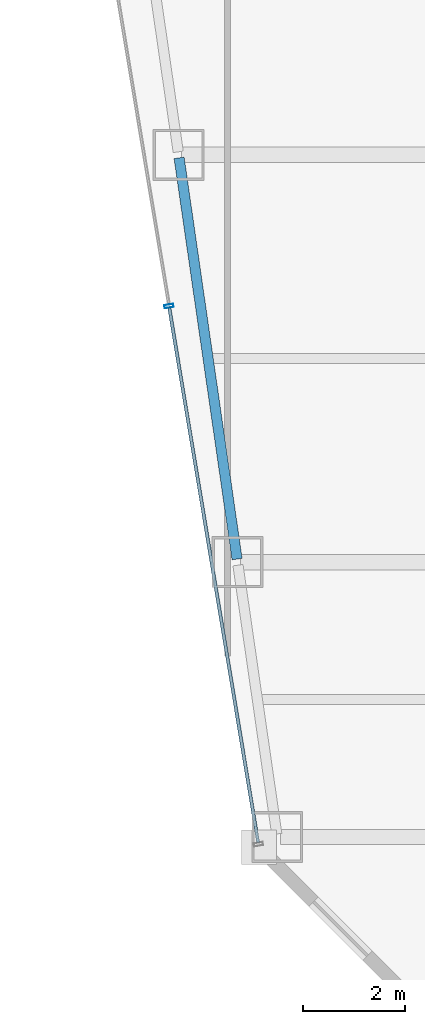
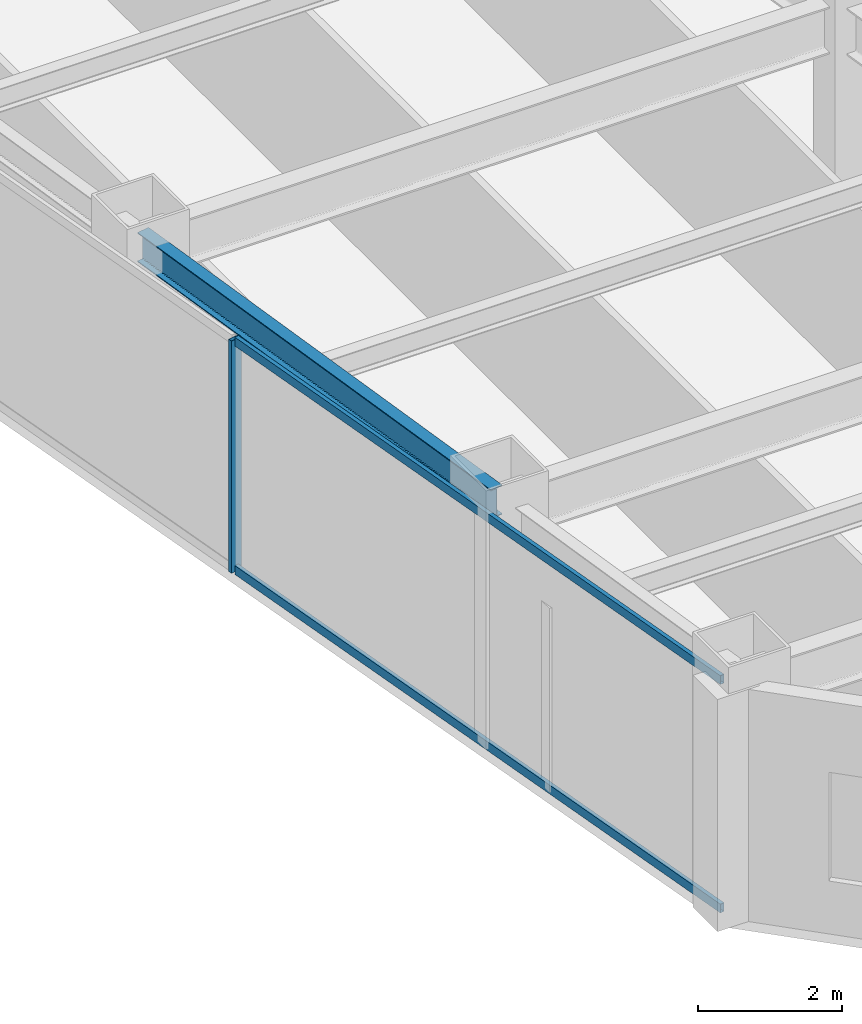
# One storey, part 3 of 36: 3 members, 1 beam, 1 element without a shape of its own.
"""IFC4 building model written with IfcOpenShell, lengths in metres."""

from ifc_helpers import new_model, si_unit, direction, frame, origin, origin_2d, place, context, subcontext, project, spatial, hollow_rectangle, i_section, extrude, material, material_profile, profile_set, type_object, element, aggregate, save


model = new_model("IFC4")

# Units and contexts
model_context = context("Model", 3, precision=1e-05, world=origin(), true_north=direction((0.0, 1.0)))
body_context = subcontext(model_context, "Body", "Model", "MODEL_VIEW")
ifc_project = project(units=[si_unit("LENGTHUNIT", "METRE"), si_unit("AREAUNIT", "SQUARE_METRE"), si_unit("VOLUMEUNIT", "CUBIC_METRE"), si_unit("PLANEANGLEUNIT", "RADIAN"), si_unit("MASSUNIT", "GRAM", prefix="KILO")], contexts=[model_context])

# Site, building, storey
site_placement = place(None, origin())
site = spatial("IfcSite", under=ifc_project, at=site_placement, CompositionType="ELEMENT")
building_placement = place(site_placement, origin())
building = spatial("IfcBuilding", under=site, at=building_placement, Name="Saevonmaru Cultural Tower", CompositionType="ELEMENT")
storey_placement = place(building_placement, frame((0.0, 0.0, 119.199951171875)))
storey = spatial("IfcBuildingStorey", under=building, at=storey_placement, Name="L25", CompositionType="ELEMENT", Elevation=119.199951171875)

# Beam
ifc_material_1 = material(Name="Steel SM355", Category="steel")
ifc_material_profile_1 = material_profile(ifc_material_1, i_section(OverallWidth=0.199951171875, OverallDepth=0.5, WebThickness=0.010009765625, FlangeThickness=0.01611328125, FilletRadius=0.02001953125, at=origin_2d()), Name="H-500x200x10x16")
ifc_profile_set_1 = profile_set([ifc_material_profile_1], Name="Steel SM355")
beam_type = type_object("IfcBeamType", Name="BM-SP-H500", PredefinedType="SPANDREL", material=ifc_profile_set_1)
beam_placement = place(storey_placement, frame((10.619384765625, 16.059326171875, 3.699951171875), z_axis=(-0.142992129437, 0.989723825579, 0.0), x_axis=(-0.989723825579, -0.142992129437, 0.0)))
element("IfcBeam", 1, at=beam_placement, inside=storey, type_object=beam_type, Name="L25 West Splayed Spandrel 2", PredefinedType="SPANDREL", context=body_context, shape_type="SweptSolid", body=[
    extrude(i_section(OverallWidth=0.199951171875, OverallDepth=0.5, WebThickness=0.010009765625, FlangeThickness=0.01611328125, FilletRadius=0.02001953125, at=origin_2d()), origin(), (0.0, 0.0, 1.0), 7.963134765625),
])

# Curtain wall, members
ifc_material_2 = material(Name="Satin Bronze Anodised Aluminium", Category="aluminium")
curtain_wall_type = type_object("IfcCurtainWallType", Name="CW-TYP-A", PredefinedType="NOTDEFINED", material=ifc_material_2)
curtain_wall_placement = place(storey_placement, origin())
curtain_wall = element("IfcCurtainWall", 2, at=curtain_wall_placement, inside=storey, type_object=curtain_wall_type, Name="L25 Unitised Curtain Wall E12", PredefinedType="NOTDEFINED")
ifc_material_profile_2 = material_profile(ifc_material_2, hollow_rectangle(XDim=0.06494140625, YDim=0.179931640625, WallThickness=0.00390625, at=origin_2d()), Name="ALU-MULL-180x65x4")
ifc_profile_set_2 = profile_set([ifc_material_profile_2], Name="Satin Bronze Anodised Aluminium")
member_type_1 = type_object("IfcMemberType", Name="ML-CW-180x65", PredefinedType="MULLION", material=ifc_profile_set_2)
member_1_placement = place(storey_placement, frame((9.28173828125, 21.029541015625, 0.0), z_axis=(0.0, 0.0, 1.0), x_axis=(0.163998702345, -0.986460554523, 0.0)))
member_1 = element("IfcMember", 3, at=member_1_placement, type_object=member_type_1, Name="CW-TW-L25-E12 mullion 4", PredefinedType="MULLION", context=body_context, shape_type="SweptSolid", body=[
    extrude(hollow_rectangle(XDim=0.06494140625, YDim=0.179931640625, WallThickness=0.00390625, at=origin_2d()), origin(), (0.0, 0.0, 1.0), 3.949951171875),
])
ifc_material_profile_3 = material_profile(ifc_material_2, hollow_rectangle(XDim=0.06494140625, YDim=0.14990234375, WallThickness=0.00390625, at=origin_2d()), Name="ALU-TRAN-150x65x4")
ifc_profile_set_3 = profile_set([ifc_material_profile_3], Name="Satin Bronze Anodised Aluminium")
member_type_2 = type_object("IfcMemberType", Name="TR-CW-150x65", PredefinedType="USERDEFINED", material=ifc_profile_set_3)
member_2_placement = place(storey_placement, frame((9.287109375, 20.99755859375, 0.032470703125), z_axis=(0.163990079074, -0.9864619881, 0.0), x_axis=(0.9864619881, 0.163990079074, 0.0)))
member_2 = element("IfcMember", 4, at=member_2_placement, type_object=member_type_2, Name="CW-TW-L25-E12 transom 4.1", ObjectType="TRANSOM", PredefinedType="USERDEFINED", context=body_context, shape_type="SweptSolid", body=[
    extrude(hollow_rectangle(XDim=0.06494140625, YDim=0.14990234375, WallThickness=0.00390625, at=origin_2d()), origin(), (0.0, 0.0, 1.0), 10.650634765625),
])
member_3_placement = place(storey_placement, frame((9.287109375, 20.99755859375, 3.91748046875), z_axis=(0.163990079074, -0.9864619881, 0.0), x_axis=(0.9864619881, 0.163990079074, 0.0)))
member_3 = element("IfcMember", 5, at=member_3_placement, type_object=member_type_2, Name="CW-TW-L25-E12 transom 4.2", ObjectType="TRANSOM", PredefinedType="USERDEFINED", context=body_context, shape_type="SweptSolid", body=[
    extrude(hollow_rectangle(XDim=0.06494140625, YDim=0.14990234375, WallThickness=0.00390625, at=origin_2d()), origin(), (0.0, 0.0, 1.0), 10.650634765625),
])
aggregate(curtain_wall, [member_1, member_2, member_3])

save(model, "model.ifc")
